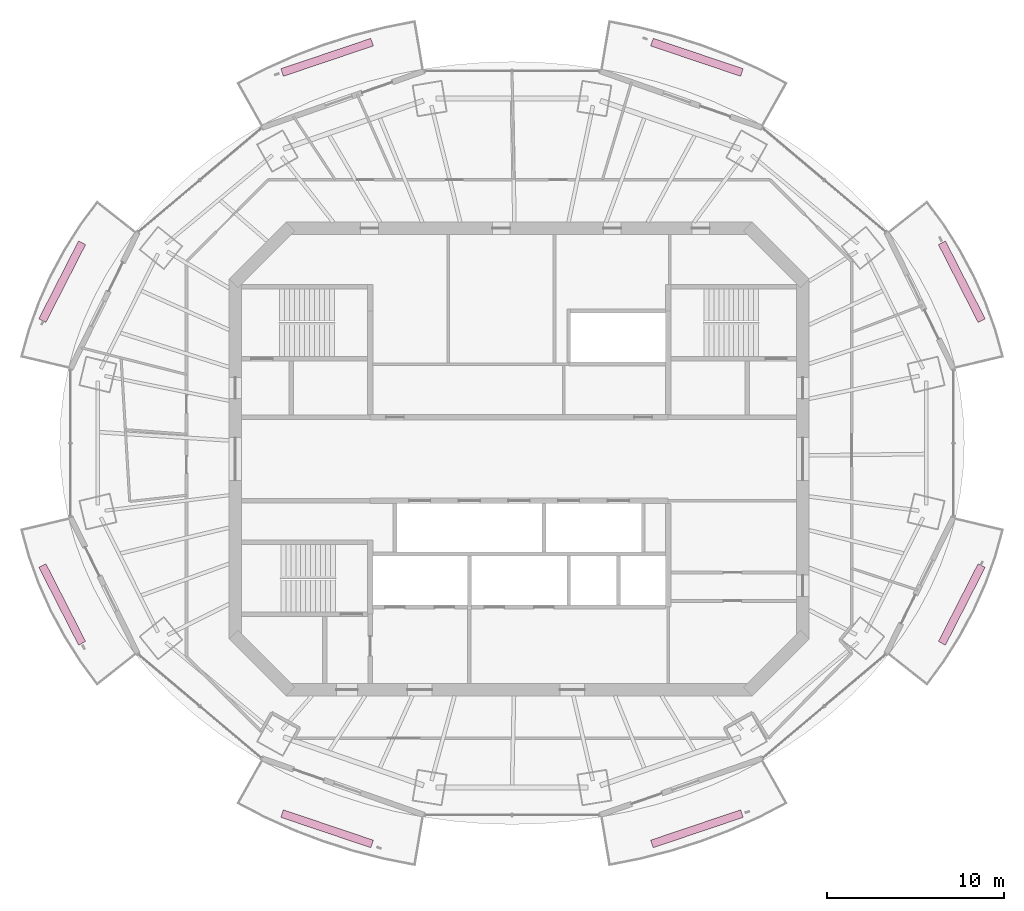
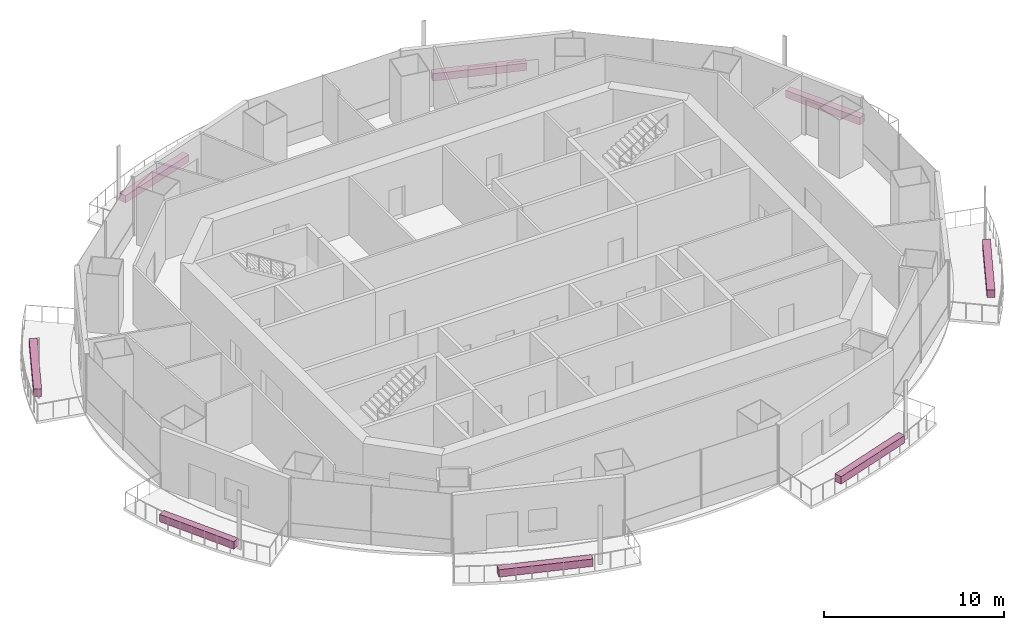
# One storey, part 15 of 15: 8 furnishings.
"""IFC4 building model written with IfcOpenShell, lengths in metres."""

import ifcopenshell
import ifcopenshell.guid

model = None  # the IFC model being written
_history = None  # IfcOwnerHistory: only IFC2X3 demands one
_inside = {}  # id of a spatial element -> (the spatial element, [elements in it])
_under = {}  # id of a project, library or spatial element -> (it, [spatial elements below it])
_declared = {}  # id of a project -> (the project, [libraries it declares])
_typed = {}  # id of a type object -> (the type object, [elements of that type])
_made_of = {}  # id of a material, layer set ... -> (it, [elements and type objects made of it])


def new_model(schema):
    """Start an empty IFC model of exactly this schema.

    Asked for "IFC4X3", IfcOpenShell would pick the latest addendum, in which some entities
    have other attributes; the version numbers below select the first issue.
    IFC2X3 requires an IfcOwnerHistory on every rooted entity: one is made here for all.
    """
    global model, _history
    if schema == "IFC4X3":
        model = ifcopenshell.file(schema_version=(4, 3, 0, 0))
    else:
        model = ifcopenshell.file(schema=schema)
    _inside.clear()
    _under.clear()
    _declared.clear()
    _typed.clear()
    _made_of.clear()
    _history = None
    if model.schema == "IFC2X3":
        org = make("IfcOrganization", Name="unknown")
        user = make(
            "IfcPersonAndOrganization",
            ThePerson=make("IfcPerson", FamilyName="unknown"),
            TheOrganization=org,
        )
        app = make(
            "IfcApplication",
            ApplicationDeveloper=org,
            Version="unknown",
            ApplicationFullName="unknown",
            ApplicationIdentifier="unknown",
        )
        _history = make(
            "IfcOwnerHistory",
            OwningUser=user,
            OwningApplication=app,
            ChangeAction="ADDED",
            CreationDate=0,
        )
    return model


def make(cls, **values):
    """One entity of the class cls with the attributes given. An attribute that is None is left unset."""
    return model.create_entity(
        cls, **{name: value for name, value in values.items() if value is not None}
    )


def rooted(cls, **values):
    """An entity with a GlobalId (a new one), such as an element, a storey or a relation."""
    return make(cls, GlobalId=ifcopenshell.guid.new(), OwnerHistory=_history, **values)


def si_unit(unit_type, name, prefix=None):
    """IfcSIUnit, for example si_unit("LENGTHUNIT", "METRE", prefix="MILLI")."""
    return make("IfcSIUnit", UnitType=unit_type, Prefix=prefix, Name=name)


def assignment(units):
    """IfcUnitAssignment: the units of a project."""
    return None if units is None else make("IfcUnitAssignment", Units=units)


def point(xyz):
    """IfcCartesianPoint."""
    return None if xyz is None else make("IfcCartesianPoint", Coordinates=xyz)


def direction(xyz):
    """IfcDirection."""
    return None if xyz is None else make("IfcDirection", DirectionRatios=xyz)


def frame(location, z_axis=None, x_axis=None):
    """IfcAxis2Placement3D, a coordinate frame: its origin and axes. An axis left out is left unset."""
    return make(
        "IfcAxis2Placement3D",
        Location=point(location),
        Axis=direction(z_axis),
        RefDirection=direction(x_axis),
    )


def frame_2d(location, x_axis=None):
    """IfcAxis2Placement2D, a coordinate frame in the plane: its origin and x axis."""
    return make(
        "IfcAxis2Placement2D", Location=point(location), RefDirection=direction(x_axis)
    )


def origin():
    """The frame at (0, 0, 0) with its axes left unset."""
    return frame((0.0, 0.0, 0.0))


def origin_2d():
    """The frame at (0, 0) in the plane with its x axis left unset."""
    return frame_2d((0.0, 0.0))


def place(relative_to, where):
    """IfcLocalPlacement: puts the frame where relative to a parent placement (None: the world)."""
    return make(
        "IfcLocalPlacement", PlacementRelTo=relative_to, RelativePlacement=where
    )


def context(
    kind, dimensions, precision=None, world=None, true_north=None, identifier=None
):
    """IfcGeometricRepresentationContext, for example the 3D "Model" context."""
    return make(
        "IfcGeometricRepresentationContext",
        ContextIdentifier=identifier,
        ContextType=kind,
        CoordinateSpaceDimension=dimensions,
        Precision=precision,
        WorldCoordinateSystem=world,
        TrueNorth=true_north,
    )


def subcontext(parent, identifier, kind, view, scale=None):
    """IfcGeometricRepresentationSubContext, for example "Body" below "Model"."""
    return make(
        "IfcGeometricRepresentationSubContext",
        ContextIdentifier=identifier,
        ContextType=kind,
        ParentContext=parent,
        TargetScale=scale,
        TargetView=view,
    )


def project(units=None, contexts=None):
    """IfcProject with its units and contexts."""
    return rooted(
        "IfcProject",
        Name="project",
        RepresentationContexts=contexts,
        UnitsInContext=assignment(units),
    )


def spatial(cls, under=None, at=None, **own):
    """A site, building, storey or space (cls), placed at a placement, below another one or the project."""
    s = rooted(cls, ObjectPlacement=at, **own)
    if under is not None:
        _under.setdefault(under.id(), (under, []))[1].append(s)
    return s


def profile(cls, at=None, kind="AREA", **sizes):
    """A parametric profile (cls). Its sizes go by their IFC names, for example OverallWidth=200.0."""
    return make(cls, ProfileType=kind, Position=at, **sizes)


def rectangle(**sizes):
    """IfcRectangleProfileDef."""
    return profile("IfcRectangleProfileDef", **sizes)


def extrude(swept, where, along, depth):
    """IfcExtrudedAreaSolid: the profile swept, set in the frame where, extruded along a direction by depth."""
    return make(
        "IfcExtrudedAreaSolid",
        SweptArea=swept,
        Position=where,
        ExtrudedDirection=direction(along),
        Depth=depth,
    )


def shape(context_of_items, identifier, shape_type, items):
    """IfcShapeRepresentation: the items that make up one representation, for example the "Body"."""
    return make(
        "IfcShapeRepresentation",
        ContextOfItems=context_of_items,
        RepresentationIdentifier=identifier,
        RepresentationType=shape_type,
        Items=items,
    )


def material(Name=None, Category=None):
    """IfcMaterial."""
    return make("IfcMaterial", Name=Name, Category=Category)


def made_of(thing, what):
    """Note that an element or type object is made of a material, layer set ...; save() writes the relation."""
    if what is not None:
        _made_of.setdefault(what.id(), (what, []))[1].append(thing)
    return thing


def type_object(cls, material=None, **own):
    """A type object (cls), such as IfcWallType, which elements share."""
    return made_of(rooted(cls, **own), material)


def element(
    cls,
    number,
    at=None,
    inside=None,
    cuts=None,
    type_object=None,
    material=None,
    context=None,
    identifier="Body",
    shape_type=None,
    held_by="IfcProductDefinitionShape",
    body=None,
    shapes=None,
    **own,
):
    """One element of the class cls, such as IfcWall. Its Tag is "e" and its number.

    at: its placement. inside: the storey or other place that contains it. cuts: it is an
    opening in that element (IfcRelVoidsElement). A single representation is given by context,
    identifier, shape_type and body (its items); several are given by shapes. held_by: the class
    of the entity that holds the representations. save() writes the other relations.
    """
    e = rooted(cls, Tag="e%d" % number, ObjectPlacement=at, **own)
    if body is not None:
        shapes = [shape(context, identifier, shape_type, body)]
    if shapes is not None:
        e.Representation = make(held_by, Representations=shapes)
    if inside is not None:
        _inside.setdefault(inside.id(), (inside, []))[1].append(e)
    if cuts is not None:
        rooted(
            "IfcRelVoidsElement", RelatingBuildingElement=cuts, RelatedOpeningElement=e
        )
    if type_object is not None:
        _typed.setdefault(type_object.id(), (type_object, []))[1].append(e)
    return made_of(e, material)


def aggregate(whole, parts):
    """IfcRelAggregates: a whole, such as a stair, and the parts it consists of."""
    return rooted("IfcRelAggregates", RelatingObject=whole, RelatedObjects=parts)


def save(model, path):
    """Write the relations noted so far, then the file.

    IfcRelAggregates (storeys below a building ...), IfcRelContainedInSpatialStructure (elements
    in a storey), IfcRelDefinesByType, IfcRelAssociatesMaterial and IfcRelDeclares: one each for
    every whole, place, type object, material and project.
    """
    for whole, parts in _under.values():
        aggregate(whole, parts)
    for where, things in _inside.values():
        rooted(
            "IfcRelContainedInSpatialStructure",
            RelatedElements=things,
            RelatingStructure=where,
        )
    for kind, things in _typed.values():
        rooted("IfcRelDefinesByType", RelatedObjects=things, RelatingType=kind)
    for what, things in _made_of.values():
        rooted("IfcRelAssociatesMaterial", RelatedObjects=things, RelatingMaterial=what)
    for by, libraries in _declared.values():
        rooted("IfcRelDeclares", RelatingContext=by, RelatedDefinitions=libraries)
    model.write(path)


model = new_model("IFC4")

# Units and contexts
model_context = context("Model", 3, precision=1e-05, world=origin(), true_north=direction((0.0, 1.0)))
body_context = subcontext(model_context, "Body", "Model", "MODEL_VIEW")
ifc_project = project(units=[si_unit("LENGTHUNIT", "METRE"), si_unit("AREAUNIT", "SQUARE_METRE"), si_unit("VOLUMEUNIT", "CUBIC_METRE"), si_unit("PLANEANGLEUNIT", "RADIAN"), si_unit("MASSUNIT", "GRAM", prefix="KILO")], contexts=[model_context])

# Site, building, storey
site_placement = place(None, origin())
site = spatial("IfcSite", under=ifc_project, at=site_placement, CompositionType="ELEMENT")
building_placement = place(site_placement, origin())
building = spatial("IfcBuilding", under=site, at=building_placement, Name="Marenthal Gate Tower", CompositionType="ELEMENT")
storey_placement = place(building_placement, frame((0.0, 0.0, 388.25)))
storey = spatial("IfcBuildingStorey", under=building, at=storey_placement, Name="L88", CompositionType="ELEMENT", Elevation=388.25)

# Furnishings
ifc_material = material(Name="Planting soil and foliage", Category="planting")
furnishing_element_type = type_object("IfcFurnishingElementType", Name="Balcony PLANTER trough", material=ifc_material)
furnishing_1_placement = place(storey_placement, frame((24.955078125, 9.996337890625, -0.0400390625), z_axis=(0.0, 0.0, 1.0), x_axis=(-0.45470555801, 0.890641822235, 0.0)))
element("IfcFurnishingElement", 1, at=furnishing_1_placement, inside=storey, type_object=furnishing_element_type, Name="Balcony PLANTER L88 bay 1", ObjectType="PLANTER", context=body_context, shape_type="SweptSolid", body=[
    extrude(rectangle(XDim=4.926513671875, YDim=0.449951171875, at=origin_2d()), origin(), (0.0, 0.0, 1.0), 0.5),
])
for number, where, z_axis, x_axis, name in (
    (2, (10.024169921875, 22.64404296875, -0.0400390625), (0.0, 0.0, 1.0), (-0.947527025522, 0.319675672997, 0.0), "Balcony PLANTER L88 bay 3"),
    (3, (-10.82421875, 22.64404296875, -0.0400390625), (0.0, 0.0, 1.0), (-0.947527025522, -0.319675672997, 0.0), "Balcony PLANTER L88 bay 5"),
):
    element("IfcFurnishingElement", number, at=place(storey_placement, frame(where, z_axis=z_axis, x_axis=x_axis)), inside=storey, type_object=furnishing_element_type, Name=name, ObjectType="PLANTER", context=body_context, shape_type="SweptSolid", body=[
        extrude(rectangle(XDim=5.3515625, YDim=0.449951171875, at=origin_2d()), origin(), (0.0, 0.0, 1.0), 0.5),
    ])
for number, where, z_axis, x_axis, name in (
    (4, (-25.755126953125, 9.996337890625, -0.0400390625), (0.0, 0.0, 1.0), (-0.45470555801, -0.890641822235, 0.0), "Balcony PLANTER L88 bay 7"),
    (5, (-25.755126953125, -8.1962890625, -0.0400390625), (0.0, 0.0, 1.0), (0.45470555801, -0.890641822235, 0.0), "Balcony PLANTER L88 bay 9"),
):
    element("IfcFurnishingElement", number, at=place(storey_placement, frame(where, z_axis=z_axis, x_axis=x_axis)), inside=storey, type_object=furnishing_element_type, Name=name, ObjectType="PLANTER", context=body_context, shape_type="SweptSolid", body=[
        extrude(rectangle(XDim=4.926513671875, YDim=0.449951171875, at=origin_2d()), origin(), (0.0, 0.0, 1.0), 0.5),
    ])
for number, where, z_axis, x_axis, name in (
    (6, (-10.82421875, -20.843994140625, -0.0400390625), (0.0, 0.0, 1.0), (0.947527025522, -0.319675672997, 0.0), "Balcony PLANTER L88 bay 11"),
    (7, (10.024169921875, -20.843994140625, -0.0400390625), (0.0, 0.0, 1.0), (0.947527025522, 0.319675672997, 0.0), "Balcony PLANTER L88 bay 13"),
):
    element("IfcFurnishingElement", number, at=place(storey_placement, frame(where, z_axis=z_axis, x_axis=x_axis)), inside=storey, type_object=furnishing_element_type, Name=name, ObjectType="PLANTER", context=body_context, shape_type="SweptSolid", body=[
        extrude(rectangle(XDim=5.3515625, YDim=0.449951171875, at=origin_2d()), origin(), (0.0, 0.0, 1.0), 0.5),
    ])
furnishing_2_placement = place(storey_placement, frame((24.955078125, -8.1962890625, -0.0400390625), z_axis=(0.0, 0.0, 1.0), x_axis=(0.45470555801, 0.890641822235, 0.0)))
element("IfcFurnishingElement", 8, at=furnishing_2_placement, inside=storey, type_object=furnishing_element_type, Name="Balcony PLANTER L88 bay 15", ObjectType="PLANTER", context=body_context, shape_type="SweptSolid", body=[
    extrude(rectangle(XDim=4.926513671875, YDim=0.449951171875, at=origin_2d()), origin(), (0.0, 0.0, 1.0), 0.5),
])

save(model, "model.ifc")
